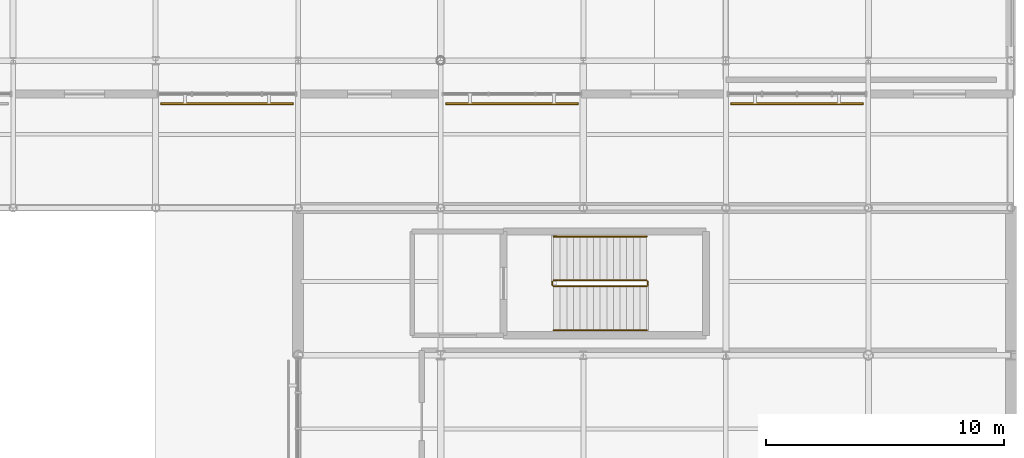
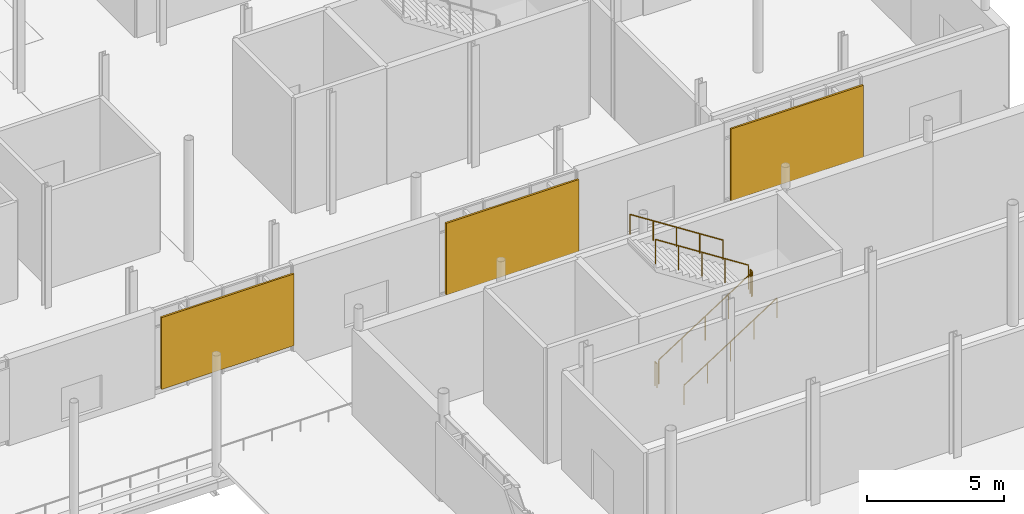
# One storey, part 102 of 105: 6 railings, 3 shading devices.
"""IFC4 building model written with IfcOpenShell, lengths in metres."""

import ifcopenshell
import ifcopenshell.guid

model = None  # the IFC model being written
_history = None  # IfcOwnerHistory: only IFC2X3 demands one
_inside = {}  # id of a spatial element -> (the spatial element, [elements in it])
_under = {}  # id of a project, library or spatial element -> (it, [spatial elements below it])
_declared = {}  # id of a project -> (the project, [libraries it declares])
_typed = {}  # id of a type object -> (the type object, [elements of that type])
_made_of = {}  # id of a material, layer set ... -> (it, [elements and type objects made of it])


def new_model(schema):
    """Start an empty IFC model of exactly this schema.

    Asked for "IFC4X3", IfcOpenShell would pick the latest addendum, in which some entities
    have other attributes; the version numbers below select the first issue.
    IFC2X3 requires an IfcOwnerHistory on every rooted entity: one is made here for all.
    """
    global model, _history
    if schema == "IFC4X3":
        model = ifcopenshell.file(schema_version=(4, 3, 0, 0))
    else:
        model = ifcopenshell.file(schema=schema)
    _inside.clear()
    _under.clear()
    _declared.clear()
    _typed.clear()
    _made_of.clear()
    _history = None
    if model.schema == "IFC2X3":
        org = make("IfcOrganization", Name="unknown")
        user = make(
            "IfcPersonAndOrganization",
            ThePerson=make("IfcPerson", FamilyName="unknown"),
            TheOrganization=org,
        )
        app = make(
            "IfcApplication",
            ApplicationDeveloper=org,
            Version="unknown",
            ApplicationFullName="unknown",
            ApplicationIdentifier="unknown",
        )
        _history = make(
            "IfcOwnerHistory",
            OwningUser=user,
            OwningApplication=app,
            ChangeAction="ADDED",
            CreationDate=0,
        )
    return model


def make(cls, **values):
    """One entity of the class cls with the attributes given. An attribute that is None is left unset."""
    return model.create_entity(
        cls, **{name: value for name, value in values.items() if value is not None}
    )


def rooted(cls, **values):
    """An entity with a GlobalId (a new one), such as an element, a storey or a relation."""
    return make(cls, GlobalId=ifcopenshell.guid.new(), OwnerHistory=_history, **values)


def si_unit(unit_type, name, prefix=None):
    """IfcSIUnit, for example si_unit("LENGTHUNIT", "METRE", prefix="MILLI")."""
    return make("IfcSIUnit", UnitType=unit_type, Prefix=prefix, Name=name)


def assignment(units):
    """IfcUnitAssignment: the units of a project."""
    return None if units is None else make("IfcUnitAssignment", Units=units)


def point(xyz):
    """IfcCartesianPoint."""
    return None if xyz is None else make("IfcCartesianPoint", Coordinates=xyz)


def direction(xyz):
    """IfcDirection."""
    return None if xyz is None else make("IfcDirection", DirectionRatios=xyz)


def frame(location, z_axis=None, x_axis=None):
    """IfcAxis2Placement3D, a coordinate frame: its origin and axes. An axis left out is left unset."""
    return make(
        "IfcAxis2Placement3D",
        Location=point(location),
        Axis=direction(z_axis),
        RefDirection=direction(x_axis),
    )


def frame_2d(location, x_axis=None):
    """IfcAxis2Placement2D, a coordinate frame in the plane: its origin and x axis."""
    return make(
        "IfcAxis2Placement2D", Location=point(location), RefDirection=direction(x_axis)
    )


def origin():
    """The frame at (0, 0, 0) with its axes left unset."""
    return frame((0.0, 0.0, 0.0))


def origin_2d():
    """The frame at (0, 0) in the plane with its x axis left unset."""
    return frame_2d((0.0, 0.0))


def place(relative_to, where):
    """IfcLocalPlacement: puts the frame where relative to a parent placement (None: the world)."""
    return make(
        "IfcLocalPlacement", PlacementRelTo=relative_to, RelativePlacement=where
    )


def context(
    kind, dimensions, precision=None, world=None, true_north=None, identifier=None
):
    """IfcGeometricRepresentationContext, for example the 3D "Model" context."""
    return make(
        "IfcGeometricRepresentationContext",
        ContextIdentifier=identifier,
        ContextType=kind,
        CoordinateSpaceDimension=dimensions,
        Precision=precision,
        WorldCoordinateSystem=world,
        TrueNorth=true_north,
    )


def subcontext(parent, identifier, kind, view, scale=None):
    """IfcGeometricRepresentationSubContext, for example "Body" below "Model"."""
    return make(
        "IfcGeometricRepresentationSubContext",
        ContextIdentifier=identifier,
        ContextType=kind,
        ParentContext=parent,
        TargetScale=scale,
        TargetView=view,
    )


def project(units=None, contexts=None):
    """IfcProject with its units and contexts."""
    return rooted(
        "IfcProject",
        Name="project",
        RepresentationContexts=contexts,
        UnitsInContext=assignment(units),
    )


def spatial(cls, under=None, at=None, **own):
    """A site, building, storey or space (cls), placed at a placement, below another one or the project."""
    s = rooted(cls, ObjectPlacement=at, **own)
    if under is not None:
        _under.setdefault(under.id(), (under, []))[1].append(s)
    return s


def profile(cls, at=None, kind="AREA", **sizes):
    """A parametric profile (cls). Its sizes go by their IFC names, for example OverallWidth=200.0."""
    return make(cls, ProfileType=kind, Position=at, **sizes)


def rectangle(**sizes):
    """IfcRectangleProfileDef."""
    return profile("IfcRectangleProfileDef", **sizes)


def circle(**sizes):
    """IfcCircleProfileDef."""
    return profile("IfcCircleProfileDef", **sizes)


def extrude(swept, where, along, depth):
    """IfcExtrudedAreaSolid: the profile swept, set in the frame where, extruded along a direction by depth."""
    return make(
        "IfcExtrudedAreaSolid",
        SweptArea=swept,
        Position=where,
        ExtrudedDirection=direction(along),
        Depth=depth,
    )


def shape(context_of_items, identifier, shape_type, items):
    """IfcShapeRepresentation: the items that make up one representation, for example the "Body"."""
    return make(
        "IfcShapeRepresentation",
        ContextOfItems=context_of_items,
        RepresentationIdentifier=identifier,
        RepresentationType=shape_type,
        Items=items,
    )


def material(Name=None, Category=None):
    """IfcMaterial."""
    return make("IfcMaterial", Name=Name, Category=Category)


def layer(
    of_material, thickness, ventilated=None, Name=None, Category=None, Priority=None
):
    """IfcMaterialLayer: one layer of a wall or slab, of a material (None: an air gap)."""
    return make(
        "IfcMaterialLayer",
        Material=of_material,
        LayerThickness=thickness,
        IsVentilated=ventilated,
        Name=Name,
        Category=Category,
        Priority=Priority,
    )


def layer_set(layers, Name=None):
    """IfcMaterialLayerSet."""
    return make("IfcMaterialLayerSet", MaterialLayers=layers, LayerSetName=Name)


def made_of(thing, what):
    """Note that an element or type object is made of a material, layer set ...; save() writes the relation."""
    if what is not None:
        _made_of.setdefault(what.id(), (what, []))[1].append(thing)
    return thing


def type_object(cls, material=None, **own):
    """A type object (cls), such as IfcWallType, which elements share."""
    return made_of(rooted(cls, **own), material)


def element(
    cls,
    number,
    at=None,
    inside=None,
    cuts=None,
    type_object=None,
    material=None,
    context=None,
    identifier="Body",
    shape_type=None,
    held_by="IfcProductDefinitionShape",
    body=None,
    shapes=None,
    **own,
):
    """One element of the class cls, such as IfcWall. Its Tag is "e" and its number.

    at: its placement. inside: the storey or other place that contains it. cuts: it is an
    opening in that element (IfcRelVoidsElement). A single representation is given by context,
    identifier, shape_type and body (its items); several are given by shapes. held_by: the class
    of the entity that holds the representations. save() writes the other relations.
    """
    e = rooted(cls, Tag="e%d" % number, ObjectPlacement=at, **own)
    if body is not None:
        shapes = [shape(context, identifier, shape_type, body)]
    if shapes is not None:
        e.Representation = make(held_by, Representations=shapes)
    if inside is not None:
        _inside.setdefault(inside.id(), (inside, []))[1].append(e)
    if cuts is not None:
        rooted(
            "IfcRelVoidsElement", RelatingBuildingElement=cuts, RelatedOpeningElement=e
        )
    if type_object is not None:
        _typed.setdefault(type_object.id(), (type_object, []))[1].append(e)
    return made_of(e, material)


def aggregate(whole, parts):
    """IfcRelAggregates: a whole, such as a stair, and the parts it consists of."""
    return rooted("IfcRelAggregates", RelatingObject=whole, RelatedObjects=parts)


def save(model, path):
    """Write the relations noted so far, then the file.

    IfcRelAggregates (storeys below a building ...), IfcRelContainedInSpatialStructure (elements
    in a storey), IfcRelDefinesByType, IfcRelAssociatesMaterial and IfcRelDeclares: one each for
    every whole, place, type object, material and project.
    """
    for whole, parts in _under.values():
        aggregate(whole, parts)
    for where, things in _inside.values():
        rooted(
            "IfcRelContainedInSpatialStructure",
            RelatedElements=things,
            RelatingStructure=where,
        )
    for kind, things in _typed.values():
        rooted("IfcRelDefinesByType", RelatedObjects=things, RelatingType=kind)
    for what, things in _made_of.values():
        rooted("IfcRelAssociatesMaterial", RelatedObjects=things, RelatingMaterial=what)
    for by, libraries in _declared.values():
        rooted("IfcRelDeclares", RelatingContext=by, RelatedDefinitions=libraries)
    model.write(path)


model = new_model("IFC4")

# Units and contexts
model_context = context("Model", 3, precision=1e-05, world=origin(), true_north=direction((0.0, 1.0)))
body_context = subcontext(model_context, "Body", "Model", "MODEL_VIEW")
ifc_project = project(units=[si_unit("LENGTHUNIT", "METRE"), si_unit("AREAUNIT", "SQUARE_METRE"), si_unit("VOLUMEUNIT", "CUBIC_METRE"), si_unit("PLANEANGLEUNIT", "RADIAN"), si_unit("MASSUNIT", "GRAM", prefix="KILO")], contexts=[model_context])

# Site, building, storey
site_placement = place(None, origin())
site = spatial("IfcSite", under=ifc_project, at=site_placement, CompositionType="ELEMENT")
building_placement = place(site_placement, origin())
building = spatial("IfcBuilding", under=site, at=building_placement, Name="Mirzam Square Science Centre", CompositionType="ELEMENT")
storey_placement = place(building_placement, frame((0.0, 0.0, 5.39990234375)))
storey = spatial("IfcBuildingStorey", under=building, at=storey_placement, Name="L01", CompositionType="ELEMENT", Elevation=5.39990234375)

# Railings
ifc_material_1 = material(Name="Bronze-Anodised Architectural Balustrade", Category="aluminium")
railing_type_1 = type_object("IfcRailingType", Name="RL-INT-GUARD-1100", PredefinedType="GUARDRAIL", material=ifc_material_1)
railing_1_placement = place(storey_placement, frame((142.75, 33.89990234375, 0.18017578125)))
element("IfcRailing", 1, at=railing_1_placement, inside=storey, type_object=railing_type_1, Name="L01 ST-06 stair guard 1", PredefinedType="GUARDRAIL", context=body_context, shape_type="SweptSolid", body=[
    extrude(circle(Radius=0.02392578125, at=origin_2d()), frame((0.0, 0.0, 1.076171875), z_axis=(0.841171666519, 0.0, 0.540768182723), x_axis=(0.0, 1.0, 0.0)), (0.0, 0.0, 1.0), 4.66015625),
    extrude(circle(Radius=0.02099609375, at=origin_2d()), origin(), (0.0, 0.0, 1.0), 1.052001953125),
    extrude(circle(Radius=0.02099609375, at=origin_2d()), frame((0.97998046875, 0.0, 0.6298828125)), (0.0, 0.0, 1.0), 1.052001953125),
    extrude(circle(Radius=0.02099609375, at=origin_2d()), frame((1.9599609375, 0.0, 1.260009765625)), (0.0, 0.0, 1.0), 1.052001953125),
    extrude(circle(Radius=0.02099609375, at=origin_2d()), frame((2.93994140625, 0.0, 1.89013671875)), (0.0, 0.0, 1.0), 1.052001953125),
    extrude(circle(Radius=0.02099609375, at=origin_2d()), frame((3.919921875, 0.0, 2.52001953125)), (0.0, 0.0, 1.0), 1.052001953125),
])
railing_2_placement = place(storey_placement, frame((146.719970703125, 33.949951171875, 2.7001953125)))
element("IfcRailing", 2, at=railing_2_placement, inside=storey, type_object=railing_type_1, Name="L01 ST-06 stair guard 2", PredefinedType="GUARDRAIL", context=body_context, shape_type="SweptSolid", body=[
    extrude(circle(Radius=0.02392578125, at=origin_2d()), frame((0.0, 0.0, 1.076171875), z_axis=(0.0, 1.0, 0.0), x_axis=(-1.0, 0.0, 0.0)), (0.0, 0.0, 1.0), 0.150146484375),
    extrude(circle(Radius=0.02099609375, at=origin_2d()), origin(), (0.0, 0.0, 1.0), 1.052001953125),
    extrude(circle(Radius=0.02099609375, at=origin_2d()), frame((0.0, 0.150146484375, 0.0)), (0.0, 0.0, 1.0), 1.052001953125),
])
railing_3_placement = place(storey_placement, frame((146.669921875, 34.14990234375, 2.880126953125)))
element("IfcRailing", 3, at=railing_3_placement, inside=storey, type_object=railing_type_1, Name="L01 ST-06 stair guard 3", PredefinedType="GUARDRAIL", context=body_context, shape_type="SweptSolid", body=[
    extrude(circle(Radius=0.02392578125, at=origin_2d()), frame((0.0, 0.0, 1.076171875), z_axis=(-0.841171666519, 0.0, 0.540768182723), x_axis=(0.0, -1.0, 0.0)), (0.0, 0.0, 1.0), 4.66015625),
    extrude(circle(Radius=0.02099609375, at=origin_2d()), origin(), (0.0, 0.0, 1.0), 1.052001953125),
    extrude(circle(Radius=0.02099609375, at=origin_2d()), frame((-0.97998046875, 0.0, 0.6298828125)), (0.0, 0.0, 1.0), 1.052001953125),
    extrude(circle(Radius=0.02099609375, at=origin_2d()), frame((-1.9599609375, 0.0, 1.260009765625)), (0.0, 0.0, 1.0), 1.052001953125),
    extrude(circle(Radius=0.02099609375, at=origin_2d()), frame((-2.93994140625, 0.0, 1.89013671875)), (0.0, 0.0, 1.0), 1.052001953125),
    extrude(circle(Radius=0.02099609375, at=origin_2d()), frame((-3.919921875, 0.0, 2.52001953125)), (0.0, 0.0, 1.0), 1.052001953125),
])
railing_4_placement = place(storey_placement, frame((142.699951171875, 33.949951171875, 0.0)))
element("IfcRailing", 4, at=railing_4_placement, inside=storey, type_object=railing_type_1, Name="L01 ST-06 stair guard 4", PredefinedType="GUARDRAIL", context=body_context, shape_type="SweptSolid", body=[
    extrude(circle(Radius=0.02392578125, at=origin_2d()), frame((0.0, 0.0, 1.076171875), z_axis=(0.0, 1.0, 0.0), x_axis=(-1.0, 0.0, 0.0)), (0.0, 0.0, 1.0), 0.150146484375),
    extrude(circle(Radius=0.02099609375, at=origin_2d()), origin(), (0.0, 0.0, 1.0), 1.052001953125),
    extrude(circle(Radius=0.02099609375, at=origin_2d()), frame((0.0, 0.150146484375, 0.0)), (0.0, 0.0, 1.0), 1.052001953125),
])
ifc_material_2 = material(Name="Brushed Bronze Tubular Handrail", Category="aluminium")
railing_type_2 = type_object("IfcRailingType", Name="RL-STAIR-HANDRAIL-900", PredefinedType="HANDRAIL", material=ifc_material_2)
railing_5_placement = place(storey_placement, frame((142.75, 32.050048828125, 0.3720703125)))
element("IfcRailing", 5, at=railing_5_placement, inside=storey, type_object=railing_type_2, Name="L01 ST-06 stair handrail 1", PredefinedType="HANDRAIL", context=body_context, shape_type="SweptSolid", body=[
    extrude(circle(Radius=0.02392578125, at=origin_2d()), frame((0.0, 0.0, 0.8759765625), z_axis=(0.841171666519, 0.0, 0.540768182723), x_axis=(0.0, 1.0, 0.0)), (0.0, 0.0, 1.0), 4.66015625),
    extrude(circle(Radius=0.02099609375, at=origin_2d()), origin(), (0.0, 0.0, 1.0), 0.851806640625),
    extrude(circle(Radius=0.02099609375, at=origin_2d()), frame((0.97998046875, 0.0, 0.6298828125)), (0.0, 0.0, 1.0), 0.851806640625),
    extrude(circle(Radius=0.02099609375, at=origin_2d()), frame((1.9599609375, 0.0, 1.260009765625)), (0.0, 0.0, 1.0), 0.851806640625),
    extrude(circle(Radius=0.02099609375, at=origin_2d()), frame((2.93994140625, 0.0, 1.89013671875)), (0.0, 0.0, 1.0), 0.851806640625),
    extrude(circle(Radius=0.02099609375, at=origin_2d()), frame((3.919921875, 0.0, 2.52001953125)), (0.0, 0.0, 1.0), 0.851806640625),
])
railing_6_placement = place(storey_placement, frame((146.669921875, 36.0, 3.072021484375)))
element("IfcRailing", 6, at=railing_6_placement, inside=storey, type_object=railing_type_2, Name="L01 ST-06 stair handrail 2", PredefinedType="HANDRAIL", context=body_context, shape_type="SweptSolid", body=[
    extrude(circle(Radius=0.02392578125, at=origin_2d()), frame((0.0, 0.0, 0.8759765625), z_axis=(-0.841171666519, 0.0, 0.540768182723), x_axis=(0.0, -1.0, 0.0)), (0.0, 0.0, 1.0), 4.66015625),
    extrude(circle(Radius=0.02099609375, at=origin_2d()), origin(), (0.0, 0.0, 1.0), 0.851806640625),
    extrude(circle(Radius=0.02099609375, at=origin_2d()), frame((-0.97998046875, 0.0, 0.6298828125)), (0.0, 0.0, 1.0), 0.851806640625),
    extrude(circle(Radius=0.02099609375, at=origin_2d()), frame((-1.9599609375, 0.0, 1.260009765625)), (0.0, 0.0, 1.0), 0.851806640625),
    extrude(circle(Radius=0.02099609375, at=origin_2d()), frame((-2.93994140625, 0.0, 1.89013671875)), (0.0, 0.0, 1.0), 0.851806640625),
    extrude(circle(Radius=0.02099609375, at=origin_2d()), frame((-3.919921875, 0.0, 2.52001953125)), (0.0, 0.0, 1.0), 0.851806640625),
])

# Shading devices
ifc_material_3 = material(Name="Perforated Bronze-Anodised Aluminium Brise-Soleil", Category="aluminium")
ifc_layer = layer(ifc_material_3, 0.080078125)
ifc_layer_set = layer_set([ifc_layer], Name="SHD-BRISE-BRONZE")
shading_device_type = type_object("IfcShadingDeviceType", Name="SHD-BRISE-BRONZE", PredefinedType="JALOUSIE", material=ifc_layer_set)
for number, where, z_axis, x_axis, name in (
    (7, (129.0, 41.590087890625, 1.09033203125), (0.0, 0.0, 1.0), (1.0, 0.0, 0.0), "L01 bronze brise-soleil screen 72"),
    (8, (141.0, 41.590087890625, 1.09033203125), (0.0, 0.0, 1.0), (1.0, 0.0, 0.0), "L01 bronze brise-soleil screen 73"),
    (9, (153.0, 41.590087890625, 1.09033203125), (0.0, 0.0, 1.0), (1.0, 0.0, 0.0), "L01 bronze brise-soleil screen 74"),
):
    element("IfcShadingDevice", number, at=place(storey_placement, frame(where, z_axis=z_axis, x_axis=x_axis)), inside=storey, type_object=shading_device_type, Name=name, PredefinedType="JALOUSIE", context=body_context, shape_type="SweptSolid", body=[
        extrude(rectangle(XDim=5.590087890625, YDim=0.080078125, at=origin_2d()), origin(), (0.0, 0.0, 1.0), 3.199951171875),
    ])

save(model, "model.ifc")
